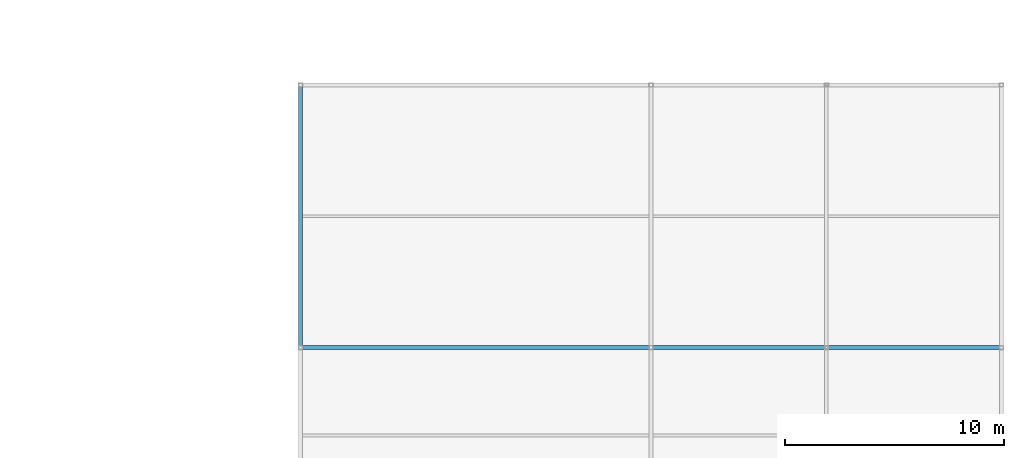
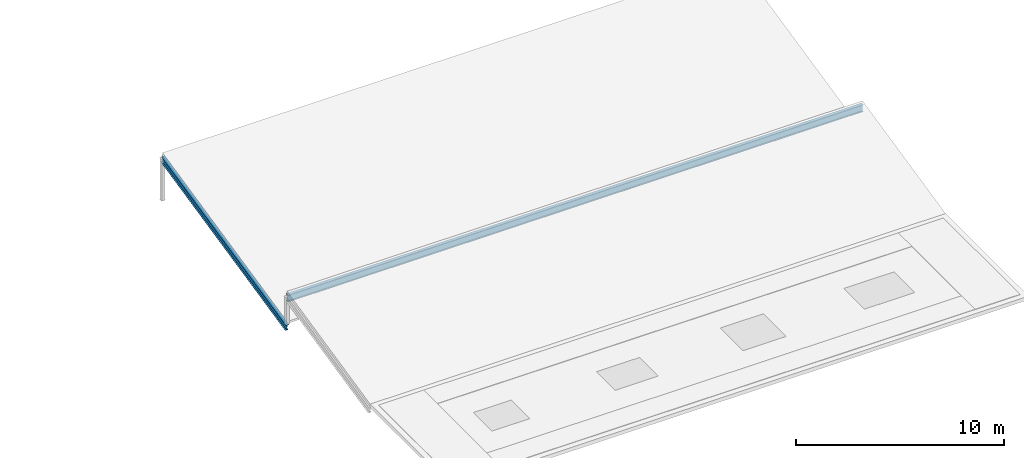
# One storey, part 13 of 31: 2 members.
"""IFC4 building model written with IfcOpenShell, lengths in metres."""

from ifc_helpers import new_model, si_unit, direction, frame, origin, origin_2d, place, context, subcontext, project, spatial, i_section, extrude, material, material_profile, profile_set, type_object, element, save


model = new_model("IFC4")

# Units and contexts
model_context = context("Model", 3, precision=1e-05, world=origin(), true_north=direction((0.0, 1.0)))
body_context = subcontext(model_context, "Body", "Model", "MODEL_VIEW")
ifc_project = project(units=[si_unit("LENGTHUNIT", "METRE"), si_unit("AREAUNIT", "SQUARE_METRE"), si_unit("VOLUMEUNIT", "CUBIC_METRE"), si_unit("PLANEANGLEUNIT", "RADIAN"), si_unit("MASSUNIT", "GRAM", prefix="KILO")], contexts=[model_context])

# Site, building, storey
site_placement = place(None, origin())
site = spatial("IfcSite", under=ifc_project, at=site_placement, CompositionType="ELEMENT")
building_placement = place(site_placement, origin())
building = spatial("IfcBuilding", under=site, at=building_placement, Name="Celadon Cloister-Ring School", CompositionType="ELEMENT")
storey_placement = place(building_placement, frame((0.0, 0.0, 16.5)))
storey = spatial("IfcBuildingStorey", under=building, at=storey_placement, Name="L04", CompositionType="ELEMENT", Elevation=16.5)

# Members
ifc_material_1 = material(Name="Structural steel S355JR", Category="steel")
ifc_material_profile_1 = material_profile(ifc_material_1, i_section(OverallWidth=0.177978515625, OverallDepth=0.406982421875, WebThickness=0.0078125, FlangeThickness=0.0126953125, at=origin_2d()), Name="W410X60")
ifc_profile_set_1 = profile_set([ifc_material_profile_1], Name="Structural steel S355JR")
member_type_1 = type_object("IfcMemberType", Name="MC-05", PredefinedType="CHORD", material=ifc_profile_set_1)
member_1_placement = place(storey_placement, frame((142.0, 48.0, 1.39208984375), z_axis=(1.0, 0.0, 0.0), x_axis=(0.0, 1.0, 0.0)))
element("IfcMember", 1, at=member_1_placement, inside=storey, type_object=member_type_1, Name="Structural Member 0596", PredefinedType="CHORD", context=body_context, shape_type="SweptSolid", body=[
    extrude(i_section(OverallWidth=0.177978515625, OverallDepth=0.406982421875, WebThickness=0.0078125, FlangeThickness=0.0126953125, at=origin_2d()), origin(), (0.0, 0.0, 1.0), 32.0),
])
ifc_material_2 = material(Name="Structural steel S355JR", Category="steel")
ifc_material_profile_2 = material_profile(ifc_material_2, i_section(OverallWidth=0.1708984375, OverallDepth=0.35498046875, WebThickness=0.007080078125, FlangeThickness=0.01171875, at=origin_2d()), Name="W360X51")
ifc_profile_set_2 = profile_set([ifc_material_profile_2], Name="Structural steel S355JR")
member_type_2 = type_object("IfcMemberType", Name="MR-05", PredefinedType="RAFTER", material=ifc_profile_set_2)
member_2_placement = place(storey_placement, frame((142.0, 48.0, -0.35302734375), z_axis=(0.0, 0.976470892776, 0.215649241966), x_axis=(-1.0, 0.0, 0.0)))
element("IfcMember", 2, at=member_2_placement, inside=storey, type_object=member_type_2, Name="Structural Member 0599", PredefinedType="RAFTER", context=body_context, shape_type="SweptSolid", body=[
    extrude(i_section(OverallWidth=0.1708984375, OverallDepth=0.35498046875, WebThickness=0.007080078125, FlangeThickness=0.01171875, at=origin_2d()), origin(), (0.0, 0.0, 1.0), 12.2890625),
])

save(model, "model.ifc")
